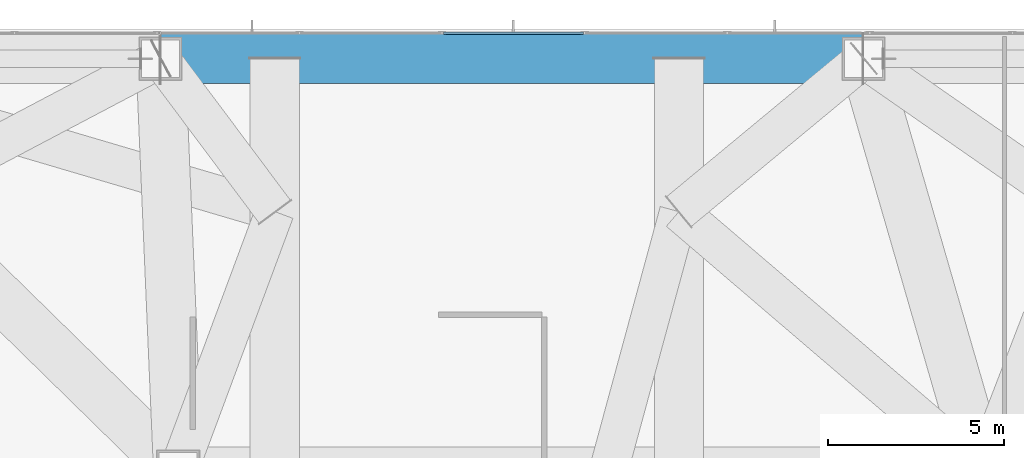
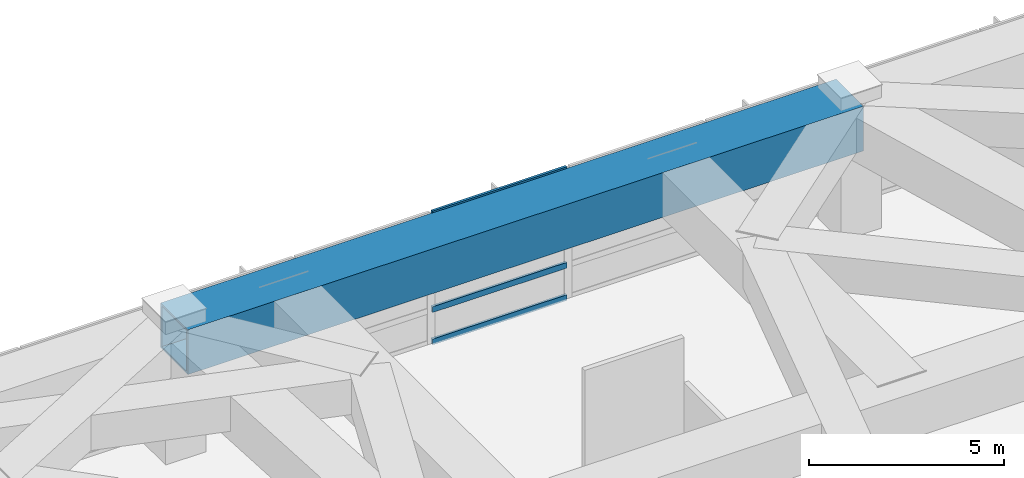
# One storey, part 7 of 27: 3 members, 1 beam, 1 element without a shape of its own.
"""IFC4 building model written with IfcOpenShell, lengths in metres."""

from ifc_helpers import new_model, si_unit, direction, frame, origin, origin_2d, place, context, subcontext, project, spatial, hollow_rectangle, extrude, material, material_profile, profile_set, type_object, element, aggregate, save


model = new_model("IFC4")

# Units and contexts
model_context = context("Model", 3, precision=1e-05, world=origin(), true_north=direction((0.0, 1.0)))
body_context = subcontext(model_context, "Body", "Model", "MODEL_VIEW")
ifc_project = project(units=[si_unit("LENGTHUNIT", "METRE"), si_unit("AREAUNIT", "SQUARE_METRE"), si_unit("VOLUMEUNIT", "CUBIC_METRE"), si_unit("PLANEANGLEUNIT", "RADIAN"), si_unit("MASSUNIT", "GRAM", prefix="KILO")], contexts=[model_context])

# Site, building, storey
site_placement = place(None, origin())
site = spatial("IfcSite", under=ifc_project, at=site_placement, CompositionType="ELEMENT")
building_placement = place(site_placement, origin())
building = spatial("IfcBuilding", under=site, at=building_placement, Name="Khamvora Tower", CompositionType="ELEMENT")
storey_placement = place(building_placement, frame((0.0, 0.0, 28.800048828125)))
storey = spatial("IfcBuildingStorey", under=building, at=storey_placement, Name="L06", CompositionType="ELEMENT", Elevation=28.800048828125)

# Beam
ifc_material_1 = material(Name="Steel S460", Category="steel")
ifc_material_profile_1 = material_profile(ifc_material_1, hollow_rectangle(XDim=1.39990234375, YDim=1.39990234375, WallThickness=0.070068359375, at=origin_2d()), Name="BOX1400x1400x70")
ifc_profile_set_1 = profile_set([ifc_material_profile_1], Name="Steel S460")
beam_type = type_object("IfcBeamType", Name="BM-TG-BOX1400", PredefinedType="BEAM", material=ifc_profile_set_1)
beam_placement = place(storey_placement, frame((38.0, 55.14990234375, 3.3798828125), z_axis=(-1.0, 0.0, 0.0), x_axis=(0.0, -1.0, 0.0)))
element("IfcBeam", 1, at=beam_placement, inside=storey, type_object=beam_type, Name="L06 perimeter spandrel beam P07-P06", PredefinedType="BEAM", context=body_context, shape_type="SweptSolid", body=[
    extrude(hollow_rectangle(XDim=1.39990234375, YDim=1.39990234375, WallThickness=0.070068359375, at=origin_2d()), origin(), (0.0, 0.0, 1.0), 20.0),
])

# Curtain wall, members
ifc_material_2 = material(Name="Anodised Aluminium 6063-T6", Category="aluminium")
curtain_wall_type = type_object("IfcCurtainWallType", Name="CW-SYS-01", PredefinedType="NOTDEFINED", material=ifc_material_2)
curtain_wall_placement = place(storey_placement, origin())
curtain_wall = element("IfcCurtainWall", 2, at=curtain_wall_placement, inside=storey, type_object=curtain_wall_type, Name="L06 stick curtain wall 07.1", PredefinedType="NOTDEFINED")
ifc_material_profile_2 = material_profile(ifc_material_2, hollow_rectangle(XDim=0.074951171875, YDim=0.179931640625, WallThickness=0.0048828125, at=origin_2d()), Name="TRN75x180x5")
ifc_profile_set_2 = profile_set([ifc_material_profile_2], Name="Anodised Aluminium 6063-T6")
member_type = type_object("IfcMemberType", Name="CW-SYS-01-TRN", PredefinedType="USERDEFINED", material=ifc_profile_set_2)
member_1_placement = place(storey_placement, frame((26.047607421875, 55.8798828125, 0.037353515625), z_axis=(1.0, 0.0, 0.0), x_axis=(0.0, 1.0, 0.0)))
member_1 = element("IfcMember", 3, at=member_1_placement, type_object=member_type, Name="CW-01 transom 6.1", ObjectType="TRANSOM", PredefinedType="USERDEFINED", context=body_context, shape_type="SweptSolid", body=[
    extrude(hollow_rectangle(XDim=0.074951171875, YDim=0.179931640625, WallThickness=0.0048828125, at=origin_2d()), origin(), (0.0, 0.0, 1.0), 3.981689453125),
])
member_2_placement = place(storey_placement, frame((26.047607421875, 55.8798828125, 1.050048828125), z_axis=(1.0, 0.0, 0.0), x_axis=(0.0, 1.0, 0.0)))
member_2 = element("IfcMember", 4, at=member_2_placement, type_object=member_type, Name="CW-01 transom 6.2", ObjectType="TRANSOM", PredefinedType="USERDEFINED", context=body_context, shape_type="SweptSolid", body=[
    extrude(hollow_rectangle(XDim=0.074951171875, YDim=0.179931640625, WallThickness=0.0048828125, at=origin_2d()), origin(), (0.0, 0.0, 1.0), 3.981689453125),
])
member_3_placement = place(storey_placement, frame((26.047607421875, 55.8798828125, 4.04248046875), z_axis=(1.0, 0.0, 0.0), x_axis=(0.0, 1.0, 0.0)))
member_3 = element("IfcMember", 5, at=member_3_placement, type_object=member_type, Name="CW-01 transom 6.3", ObjectType="TRANSOM", PredefinedType="USERDEFINED", context=body_context, shape_type="SweptSolid", body=[
    extrude(hollow_rectangle(XDim=0.074951171875, YDim=0.179931640625, WallThickness=0.0048828125, at=origin_2d()), origin(), (0.0, 0.0, 1.0), 3.981689453125),
])
aggregate(curtain_wall, [member_1, member_2, member_3])

save(model, "model.ifc")
